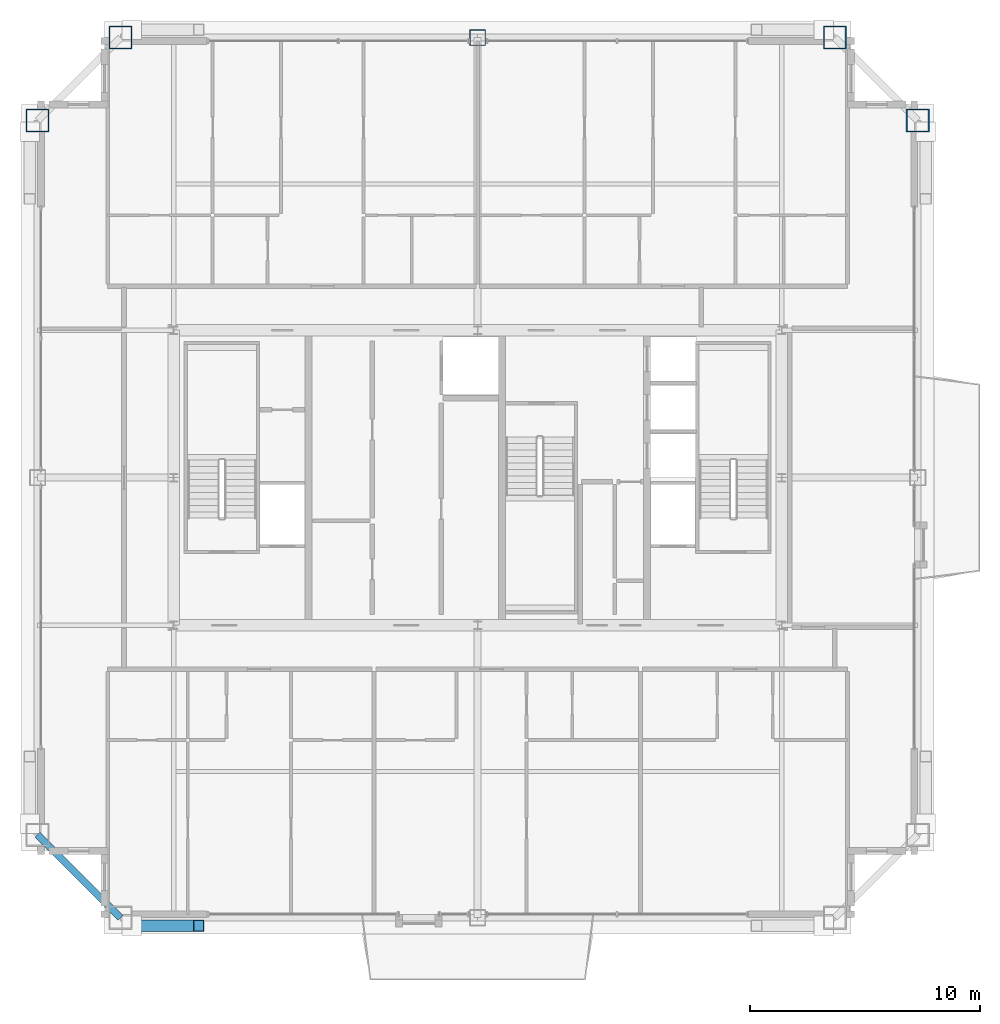
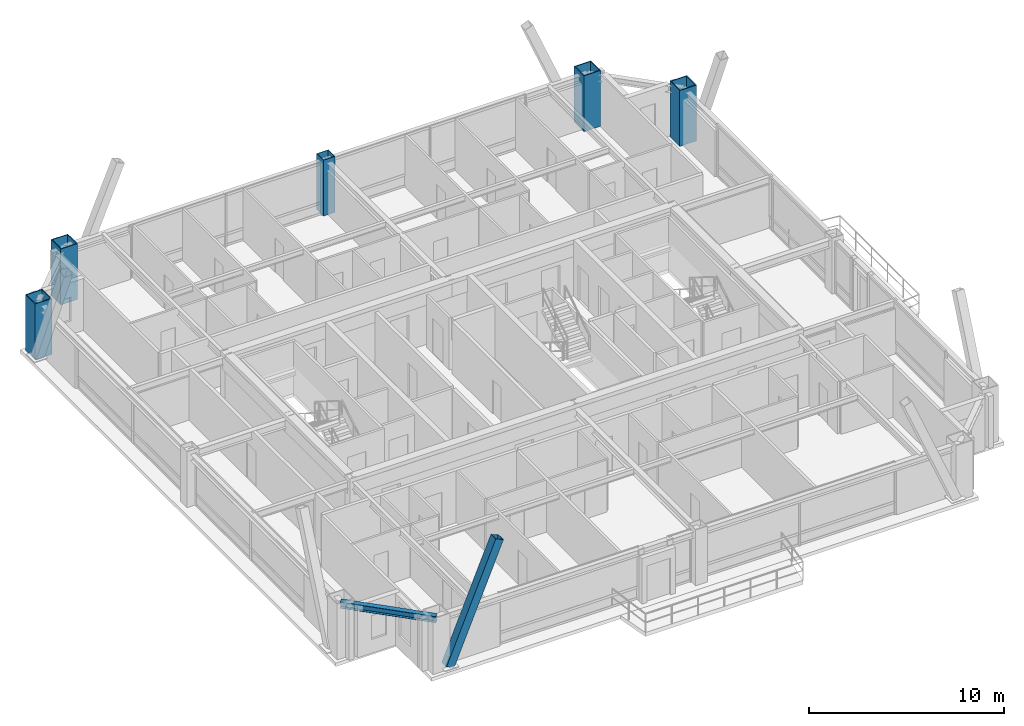
# One storey, part 3 of 35: 5 columns, 1 beam, 1 member.
"""IFC4 building model written with IfcOpenShell, lengths in metres."""

from ifc_helpers import new_model, si_unit, direction, frame, origin, origin_2d, place, context, subcontext, project, spatial, hollow_rectangle, i_section, extrude, source, transform, mapped, material, material_profile, profile_set, type_object, element, save


model = new_model("IFC4")

# Units and contexts
model_context = context("Model", 3, precision=1e-05, world=origin(), true_north=direction((0.0, 1.0)))
body_context = subcontext(model_context, "Body", "Model", "MODEL_VIEW")
ifc_project = project(units=[si_unit("LENGTHUNIT", "METRE"), si_unit("AREAUNIT", "SQUARE_METRE"), si_unit("VOLUMEUNIT", "CUBIC_METRE"), si_unit("PLANEANGLEUNIT", "RADIAN"), si_unit("MASSUNIT", "GRAM", prefix="KILO"), si_unit("THERMODYNAMICTEMPERATUREUNIT", "KELVIN"), si_unit("POWERUNIT", "WATT")], contexts=[model_context])

# Site, building, storey
site_placement = place(None, origin())
site = spatial("IfcSite", under=ifc_project, at=site_placement, CompositionType="ELEMENT")
building_placement = place(site_placement, origin())
building = spatial("IfcBuilding", under=site, at=building_placement, Name="Yuzanri Waterfront Tower", CompositionType="ELEMENT")
storey_placement = place(building_placement, frame((0.0, 0.0, 335.699951171875)))
storey = spatial("IfcBuildingStorey", under=building, at=storey_placement, Name="L90", CompositionType="ELEMENT", Elevation=335.699951171875)

# Columns
ifc_material_1 = material(Name="Steel Q355B", Category="steel")
ifc_material_profile_1 = material_profile(ifc_material_1, hollow_rectangle(XDim=0.699951171875, YDim=0.699951171875, WallThickness=0.031982421875, at=origin_2d()), Name="RHS 700x700x32")
ifc_profile_set_1 = profile_set([ifc_material_profile_1], Name="Steel Q355B")
column_type_1 = type_object("IfcColumnType", Name="Frame Column Q355B RHS 700x700x32", PredefinedType="COLUMN", material=ifc_profile_set_1)
shared_shape_1 = source(origin(), body_context, "Body", "SweptSolid", [
    extrude(hollow_rectangle(XDim=0.699951171875, YDim=0.699951171875, WallThickness=0.031982421875, at=origin_2d()), origin(), (0.0, 0.0, 1.0), 3.5),
])
column_placement = place(storey_placement, frame((37.0, 44.89990234375, 0.0), z_axis=(0.0, 0.0, 1.0), x_axis=(1.0, 0.0, 0.0)))
element("IfcColumn", 1, at=column_placement, inside=storey, type_object=column_type_1, Name="L90 Perimeter Frame Column N2", PredefinedType="COLUMN", context=body_context, shape_type="MappedRepresentation", body=[
    mapped(shared_shape_1, transform((0.0, 0.0, 0.0), scale=1.0)),
])
ifc_material_2 = material(Name="Steel Q390GJC", Category="steel")
ifc_material_profile_2 = material_profile(ifc_material_2, hollow_rectangle(XDim=1.0, YDim=1.0, WallThickness=0.048095703125, at=origin_2d()), Name="RHS 1000x1000x48")
ifc_profile_set_2 = profile_set([ifc_material_profile_2], Name="Steel Q390GJC")
column_type_2 = type_object("IfcColumnType", Name="Mega Column Q390GJC RHS 1000x1000x48", PredefinedType="COLUMN", material=ifc_profile_set_2)
shared_shape_2 = source(origin(), body_context, "Body", "SweptSolid", [
    extrude(hollow_rectangle(XDim=1.0, YDim=1.0, WallThickness=0.048095703125, at=origin_2d()), origin(), (0.0, 0.0, 1.0), 3.5),
])
for number, where, z_axis, x_axis, name in (
    (2, (21.5, 44.89990234375, 0.0), (0.0, 0.0, 1.0), (1.0, 0.0, 0.0), "L90 Perimeter Mega Column N1"),
    (3, (52.5, 44.89990234375, 0.0), (0.0, 0.0, 1.0), (1.0, 0.0, 0.0), "L90 Perimeter Mega Column N3"),
    (4, (17.89990234375, 41.300048828125, 0.0), (0.0, 0.0, 1.0), (1.0, 0.0, 0.0), "L90 Perimeter Mega Column W3"),
    (5, (56.10009765625, 41.300048828125, 0.0), (0.0, 0.0, 1.0), (1.0, 0.0, 0.0), "L90 Perimeter Mega Column E3"),
):
    element("IfcColumn", number, at=place(storey_placement, frame(where, z_axis=z_axis, x_axis=x_axis)), inside=storey, type_object=column_type_2, Name=name, PredefinedType="COLUMN", context=body_context, shape_type="MappedRepresentation", body=[
        mapped(shared_shape_2, transform((0.0, 0.0, 0.0), scale=1.0)),
    ])

# Beam
ifc_material_3 = material(Name="Steel Q355B", Category="steel")
ifc_material_profile_3 = material_profile(ifc_material_3, i_section(OverallWidth=0.300048828125, OverallDepth=0.389892578125, WebThickness=0.010009765625, FlangeThickness=0.01611328125, at=origin_2d()), Name="HM 390x300x10x16")
ifc_profile_set_3 = profile_set([ifc_material_profile_3], Name="Steel Q355B")
beam_type = type_object("IfcBeamType", Name="Perimeter Spandrel Q355B HM 390x300", PredefinedType="SPANDREL", material=ifc_profile_set_3)
shared_shape_3 = source(origin(), body_context, "Body", "SweptSolid", [
    extrude(i_section(OverallWidth=0.300048828125, OverallDepth=0.389892578125, WebThickness=0.010009765625, FlangeThickness=0.01611328125, at=origin_2d()), origin(), (0.0, 0.0, 1.0), 5.09130859375),
])
beam_placement = place(storey_placement, frame((17.89990234375, 10.300048828125, 3.06494140625), z_axis=(0.707106781187, -0.707106781187, 0.0), x_axis=(0.707106781187, 0.707106781187, 0.0)))
element("IfcBeam", 6, at=beam_placement, inside=storey, type_object=beam_type, Name="L90 Perimeter Spandrel W1-S1", PredefinedType="SPANDREL", context=body_context, shape_type="MappedRepresentation", body=[
    mapped(shared_shape_3, transform((0.0, 0.0, 0.0), scale=1.0)),
])

# Member
ifc_material_4 = material(Name="Steel Q390GJC", Category="steel")
ifc_material_profile_4 = material_profile(ifc_material_4, hollow_rectangle(XDim=0.5, YDim=0.5, WallThickness=0.02197265625, at=origin_2d()), Name="RHS 500x500x22")
ifc_profile_set_4 = profile_set([ifc_material_profile_4], Name="Steel Q390GJC")
member_type = type_object("IfcMemberType", Name="Mega Brace Upper Q390GJC RHS 500x500x22", PredefinedType="BRACE", material=ifc_profile_set_4)
shared_shape_4 = source(origin(), body_context, "Body", "SweptSolid", [
    extrude(hollow_rectangle(XDim=0.5, YDim=0.5, WallThickness=0.02197265625, at=origin_2d()), origin(), (0.0, 0.0, 1.0), 7.58447265625),
])
member_placement = place(storey_placement, frame((21.97998046875, 6.360107421875, 0.179931640625), z_axis=(0.384981052529, 0.0, 0.92292447643), x_axis=(0.0, 1.0, 0.0)))
element("IfcMember", 7, at=member_placement, inside=storey, type_object=member_type, Name="L90-L91 Perimeter Mega-Brace S-L", PredefinedType="BRACE", context=body_context, shape_type="MappedRepresentation", body=[
    mapped(shared_shape_4, transform((0.0, 0.0, 0.0), scale=1.0)),
])

save(model, "model.ifc")
